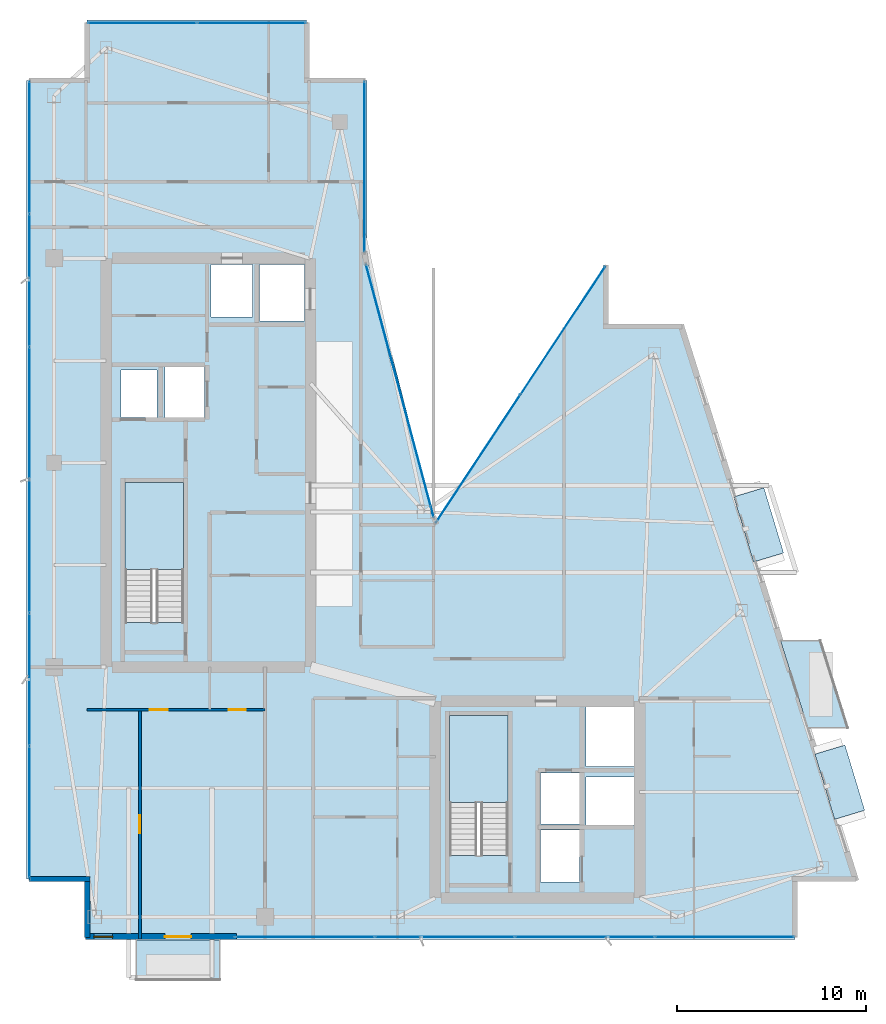
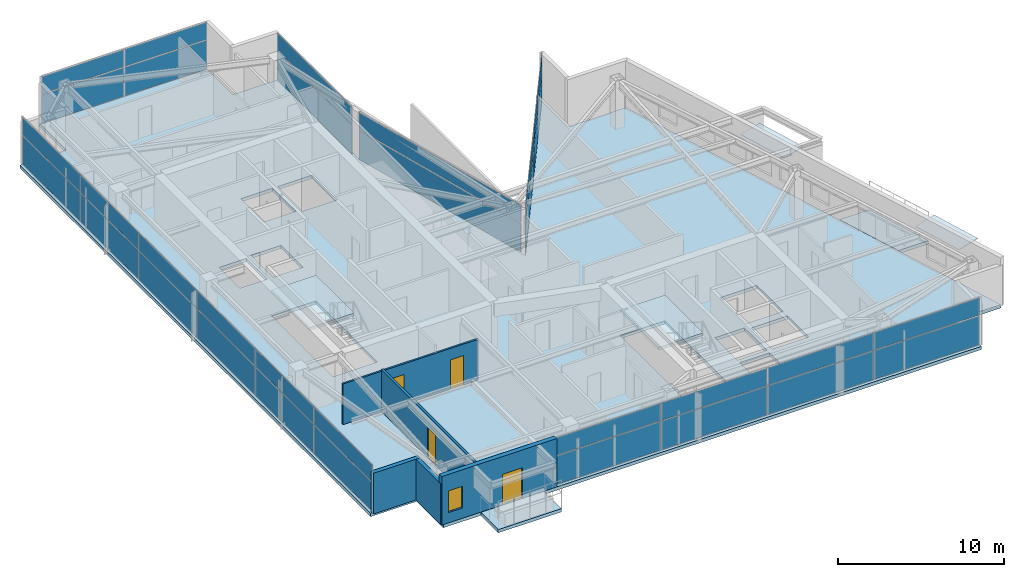
# One storey, part 22 of 28: 34 plates, 5 slabs, 5 walls, 4 doors, 1 window, 5 openings, 8 elements without a shape of their own.
"""IFC4 building model written with IfcOpenShell, lengths in metres."""

from ifc_helpers import new_model, si_unit, direction, frame, frame_2d, origin, origin_2d, place, context, subcontext, project, spatial, polyline, rectangle, outline, extrude, material, layer, layer_set, type_object, element, fill, aggregate, save


model = new_model("IFC4")

# Units and contexts
model_context = context("Model", 3, precision=1e-05, world=origin(), true_north=direction((0.0, 1.0)))
body_context = subcontext(model_context, "Body", "Model", "MODEL_VIEW")
ifc_project = project(units=[si_unit("LENGTHUNIT", "METRE"), si_unit("AREAUNIT", "SQUARE_METRE"), si_unit("VOLUMEUNIT", "CUBIC_METRE"), si_unit("PLANEANGLEUNIT", "RADIAN"), si_unit("MASSUNIT", "GRAM", prefix="KILO")], contexts=[model_context])

# Site, building, storey
site_placement = place(None, origin())
site = spatial("IfcSite", under=ifc_project, at=site_placement, CompositionType="ELEMENT")
building_placement = place(site_placement, origin())
building = spatial("IfcBuilding", under=site, at=building_placement, Name="Calvorn Quay Hotel", CompositionType="ELEMENT")
storey_placement = place(building_placement, frame((0.0, 0.0, 274.89990234375)))
storey = spatial("IfcBuildingStorey", under=building, at=storey_placement, Name="L68", CompositionType="ELEMENT", Elevation=274.89990234375)

# Curtain wall, plates
ifc_material_1 = material(Name="Champagne Bronze Anodised Aluminium and Low-E Glass", Category="aluminium")
ifc_layer_1 = layer(ifc_material_1, 0.219970703125)
ifc_layer_set_1 = layer_set([ifc_layer_1], Name="CW-SYS-Z4")
curtain_wall_type = type_object("IfcCurtainWallType", Name="CW-SYS-Z4", PredefinedType="NOTDEFINED", material=ifc_layer_set_1)
curtain_wall_1_placement = place(storey_placement, origin())
curtain_wall_1 = element("IfcCurtainWall", 1, at=curtain_wall_1_placement, inside=storey, type_object=curtain_wall_type, Name="Tower West Curtain Wall (L68)", PredefinedType="NOTDEFINED")
ifc_material_2 = material(Name="Low-E Laminated Double Glazing", Category="glass")
ifc_layer_2 = layer(ifc_material_2, 0.028076171875)
ifc_layer_set_2 = layer_set([ifc_layer_2], Name="CW-SYS-Z4-PAN")
plate_type_1 = type_object("IfcPlateType", Name="CW-SYS-Z4-PAN", PredefinedType="CURTAIN_PANEL", material=ifc_layer_set_2)
plate_1_placement = place(storey_placement, frame((0.14990234375, 9.131591796875, 0.06005859375), z_axis=(0.0, 0.0, 1.0), x_axis=(0.0, 1.0, 0.0)))
plate_1 = element("IfcPlate", 2, at=plate_1_placement, type_object=plate_type_1, Name="CW-L68-W panel 1.1", PredefinedType="CURTAIN_PANEL", context=body_context, shape_type="SweptSolid", body=[
    extrude(rectangle(XDim=6.943359375, YDim=0.028076171875, at=origin_2d()), origin(), (0.0, 0.0, 1.0), 2.110107421875),
])
plate_2_placement = place(storey_placement, frame((0.14990234375, 9.131591796875, 2.22998046875), z_axis=(0.0, 0.0, 1.0), x_axis=(0.0, 1.0, 0.0)))
plate_2 = element("IfcPlate", 3, at=plate_2_placement, type_object=plate_type_1, Name="CW-L68-W panel 1.2", PredefinedType="CURTAIN_PANEL", context=body_context, shape_type="SweptSolid", body=[
    extrude(rectangle(XDim=6.943359375, YDim=0.028076171875, at=origin_2d()), origin(), (0.0, 0.0, 1.0), 1.27001953125),
])
plate_3_placement = place(storey_placement, frame((0.14990234375, 16.14990234375, 0.06005859375), z_axis=(0.0, 0.0, 1.0), x_axis=(0.0, 1.0, 0.0)))
plate_3 = element("IfcPlate", 4, at=plate_3_placement, type_object=plate_type_1, Name="CW-L68-W panel 2.1", PredefinedType="CURTAIN_PANEL", context=body_context, shape_type="SweptSolid", body=[
    extrude(rectangle(XDim=6.973388671875, YDim=0.028076171875, at=origin_2d()), origin(), (0.0, 0.0, 1.0), 2.110107421875),
])
plate_4_placement = place(storey_placement, frame((0.14990234375, 16.14990234375, 2.22998046875), z_axis=(0.0, 0.0, 1.0), x_axis=(0.0, 1.0, 0.0)))
plate_4 = element("IfcPlate", 5, at=plate_4_placement, type_object=plate_type_1, Name="CW-L68-W panel 2.2", PredefinedType="CURTAIN_PANEL", context=body_context, shape_type="SweptSolid", body=[
    extrude(rectangle(XDim=6.973388671875, YDim=0.028076171875, at=origin_2d()), origin(), (0.0, 0.0, 1.0), 1.27001953125),
])
plate_5_placement = place(storey_placement, frame((0.14990234375, 23.183349609375, 0.06005859375), z_axis=(0.0, 0.0, 1.0), x_axis=(0.0, 1.0, 0.0)))
plate_5 = element("IfcPlate", 6, at=plate_5_placement, type_object=plate_type_1, Name="CW-L68-W panel 3.1", PredefinedType="CURTAIN_PANEL", context=body_context, shape_type="SweptSolid", body=[
    extrude(rectangle(XDim=6.973388671875, YDim=0.028076171875, at=origin_2d()), origin(), (0.0, 0.0, 1.0), 2.110107421875),
])
plate_6_placement = place(storey_placement, frame((0.14990234375, 23.183349609375, 2.22998046875), z_axis=(0.0, 0.0, 1.0), x_axis=(0.0, 1.0, 0.0)))
plate_6 = element("IfcPlate", 7, at=plate_6_placement, type_object=plate_type_1, Name="CW-L68-W panel 3.2", PredefinedType="CURTAIN_PANEL", context=body_context, shape_type="SweptSolid", body=[
    extrude(rectangle(XDim=6.973388671875, YDim=0.028076171875, at=origin_2d()), origin(), (0.0, 0.0, 1.0), 1.27001953125),
])
plate_7_placement = place(storey_placement, frame((0.14990234375, 30.216552734375, 0.06005859375), z_axis=(0.0, 0.0, 1.0), x_axis=(0.0, 1.0, 0.0)))
plate_7 = element("IfcPlate", 8, at=plate_7_placement, type_object=plate_type_1, Name="CW-L68-W panel 4.1", PredefinedType="CURTAIN_PANEL", context=body_context, shape_type="SweptSolid", body=[
    extrude(rectangle(XDim=6.973388671875, YDim=0.028076171875, at=origin_2d()), origin(), (0.0, 0.0, 1.0), 2.110107421875),
])
plate_8_placement = place(storey_placement, frame((0.14990234375, 30.216552734375, 2.22998046875), z_axis=(0.0, 0.0, 1.0), x_axis=(0.0, 1.0, 0.0)))
plate_8 = element("IfcPlate", 9, at=plate_8_placement, type_object=plate_type_1, Name="CW-L68-W panel 4.2", PredefinedType="CURTAIN_PANEL", context=body_context, shape_type="SweptSolid", body=[
    extrude(rectangle(XDim=6.973388671875, YDim=0.028076171875, at=origin_2d()), origin(), (0.0, 0.0, 1.0), 1.27001953125),
])
plate_9_placement = place(storey_placement, frame((0.14990234375, 37.25, 0.06005859375), z_axis=(0.0, 0.0, 1.0), x_axis=(0.0, 1.0, 0.0)))
plate_9 = element("IfcPlate", 10, at=plate_9_placement, type_object=plate_type_1, Name="CW-L68-W panel 5.1", PredefinedType="CURTAIN_PANEL", context=body_context, shape_type="SweptSolid", body=[
    extrude(rectangle(XDim=6.973388671875, YDim=0.028076171875, at=origin_2d()), origin(), (0.0, 0.0, 1.0), 2.110107421875),
])
plate_10_placement = place(storey_placement, frame((0.14990234375, 37.25, 2.22998046875), z_axis=(0.0, 0.0, 1.0), x_axis=(0.0, 1.0, 0.0)))
plate_10 = element("IfcPlate", 11, at=plate_10_placement, type_object=plate_type_1, Name="CW-L68-W panel 5.2", PredefinedType="CURTAIN_PANEL", context=body_context, shape_type="SweptSolid", body=[
    extrude(rectangle(XDim=6.973388671875, YDim=0.028076171875, at=origin_2d()), origin(), (0.0, 0.0, 1.0), 1.27001953125),
])
plate_11_placement = place(storey_placement, frame((0.14990234375, 44.268310546875, 0.06005859375), z_axis=(0.0, 0.0, 1.0), x_axis=(0.0, 1.0, 0.0)))
plate_11 = element("IfcPlate", 12, at=plate_11_placement, type_object=plate_type_1, Name="CW-L68-W panel 6.1", PredefinedType="CURTAIN_PANEL", context=body_context, shape_type="SweptSolid", body=[
    extrude(rectangle(XDim=6.943359375, YDim=0.028076171875, at=origin_2d()), origin(), (0.0, 0.0, 1.0), 2.110107421875),
])
plate_12_placement = place(storey_placement, frame((0.14990234375, 44.268310546875, 2.22998046875), z_axis=(0.0, 0.0, 1.0), x_axis=(0.0, 1.0, 0.0)))
plate_12 = element("IfcPlate", 13, at=plate_12_placement, type_object=plate_type_1, Name="CW-L68-W panel 6.2", PredefinedType="CURTAIN_PANEL", context=body_context, shape_type="SweptSolid", body=[
    extrude(rectangle(XDim=6.943359375, YDim=0.028076171875, at=origin_2d()), origin(), (0.0, 0.0, 1.0), 1.27001953125),
])
aggregate(curtain_wall_1, [plate_1, plate_2, plate_3, plate_4, plate_5, plate_6, plate_7, plate_8, plate_9, plate_10, plate_11, plate_12])

curtain_wall_2_placement = place(storey_placement, origin())
curtain_wall_2 = element("IfcCurtainWall", 14, at=curtain_wall_2_placement, inside=storey, type_object=curtain_wall_type, Name="Tower South Waterfront Curtain Wall (L68)", PredefinedType="NOTDEFINED")
plate_13_placement = place(storey_placement, frame((14.715087890625, 2.550048828125, 0.06005859375), z_axis=(0.0, 0.0, 1.0), x_axis=(1.0, 0.0, 0.0)))
plate_13 = element("IfcPlate", 15, at=plate_13_placement, type_object=plate_type_1, Name="CW-L68-S panel 1.1", PredefinedType="CURTAIN_PANEL", context=body_context, shape_type="SweptSolid", body=[
    extrude(rectangle(XDim=7.31005859375, YDim=0.028076171875, at=origin_2d()), origin(), (0.0, 0.0, 1.0), 2.110107421875),
])
plate_14_placement = place(storey_placement, frame((14.715087890625, 2.550048828125, 2.22998046875), z_axis=(0.0, 0.0, 1.0), x_axis=(1.0, 0.0, 0.0)))
plate_14 = element("IfcPlate", 16, at=plate_14_placement, type_object=plate_type_1, Name="CW-L68-S panel 1.2", PredefinedType="CURTAIN_PANEL", context=body_context, shape_type="SweptSolid", body=[
    extrude(rectangle(XDim=7.31005859375, YDim=0.028076171875, at=origin_2d()), origin(), (0.0, 0.0, 1.0), 1.27001953125),
])
plate_15_placement = place(storey_placement, frame((22.10009765625, 2.550048828125, 0.06005859375), z_axis=(0.0, 0.0, 1.0), x_axis=(1.0, 0.0, 0.0)))
plate_15 = element("IfcPlate", 17, at=plate_15_placement, type_object=plate_type_1, Name="CW-L68-S panel 2.1", PredefinedType="CURTAIN_PANEL", context=body_context, shape_type="SweptSolid", body=[
    extrude(rectangle(XDim=7.340087890625, YDim=0.028076171875, at=origin_2d()), origin(), (0.0, 0.0, 1.0), 2.110107421875),
])
plate_16_placement = place(storey_placement, frame((22.10009765625, 2.550048828125, 2.22998046875), z_axis=(0.0, 0.0, 1.0), x_axis=(1.0, 0.0, 0.0)))
plate_16 = element("IfcPlate", 18, at=plate_16_placement, type_object=plate_type_1, Name="CW-L68-S panel 2.2", PredefinedType="CURTAIN_PANEL", context=body_context, shape_type="SweptSolid", body=[
    extrude(rectangle(XDim=7.340087890625, YDim=0.028076171875, at=origin_2d()), origin(), (0.0, 0.0, 1.0), 1.27001953125),
])
plate_17_placement = place(storey_placement, frame((29.5, 2.550048828125, 0.06005859375), z_axis=(0.0, 0.0, 1.0), x_axis=(1.0, 0.0, 0.0)))
plate_17 = element("IfcPlate", 19, at=plate_17_placement, type_object=plate_type_1, Name="CW-L68-S panel 3.1", PredefinedType="CURTAIN_PANEL", context=body_context, shape_type="SweptSolid", body=[
    extrude(rectangle(XDim=7.340087890625, YDim=0.028076171875, at=origin_2d()), origin(), (0.0, 0.0, 1.0), 2.110107421875),
])
plate_18_placement = place(storey_placement, frame((29.5, 2.550048828125, 2.22998046875), z_axis=(0.0, 0.0, 1.0), x_axis=(1.0, 0.0, 0.0)))
plate_18 = element("IfcPlate", 20, at=plate_18_placement, type_object=plate_type_1, Name="CW-L68-S panel 3.2", PredefinedType="CURTAIN_PANEL", context=body_context, shape_type="SweptSolid", body=[
    extrude(rectangle(XDim=7.340087890625, YDim=0.028076171875, at=origin_2d()), origin(), (0.0, 0.0, 1.0), 1.27001953125),
])
plate_19_placement = place(storey_placement, frame((36.885009765625, 2.550048828125, 0.06005859375), z_axis=(0.0, 0.0, 1.0), x_axis=(1.0, 0.0, 0.0)))
plate_19 = element("IfcPlate", 21, at=plate_19_placement, type_object=plate_type_1, Name="CW-L68-S panel 4.1", PredefinedType="CURTAIN_PANEL", context=body_context, shape_type="SweptSolid", body=[
    extrude(rectangle(XDim=7.31005859375, YDim=0.028076171875, at=origin_2d()), origin(), (0.0, 0.0, 1.0), 2.110107421875),
])
plate_20_placement = place(storey_placement, frame((36.885009765625, 2.550048828125, 2.22998046875), z_axis=(0.0, 0.0, 1.0), x_axis=(1.0, 0.0, 0.0)))
plate_20 = element("IfcPlate", 22, at=plate_20_placement, type_object=plate_type_1, Name="CW-L68-S panel 4.2", PredefinedType="CURTAIN_PANEL", context=body_context, shape_type="SweptSolid", body=[
    extrude(rectangle(XDim=7.31005859375, YDim=0.028076171875, at=origin_2d()), origin(), (0.0, 0.0, 1.0), 1.27001953125),
])
aggregate(curtain_wall_2, [plate_13, plate_14, plate_15, plate_16, plate_17, plate_18, plate_19, plate_20])

curtain_wall_3_placement = place(storey_placement, origin())
curtain_wall_3 = element("IfcCurtainWall", 23, at=curtain_wall_3_placement, inside=storey, type_object=curtain_wall_type, Name="Inner Court Curtain Wall L68-NE1", PredefinedType="NOTDEFINED")
plate_21_placement = place(storey_placement, frame((28.341796875, 34.58740234375, 0.06005859375), z_axis=(0.0, 0.0, 1.0), x_axis=(-0.551866900852, -0.833932205724, 0.0)))
plate_21 = element("IfcPlate", 24, at=plate_21_placement, type_object=plate_type_1, Name="CW-L68-NE1 panel 1.1", PredefinedType="CURTAIN_PANEL", context=body_context, shape_type="SweptSolid", body=[
    extrude(rectangle(XDim=8.064208984375, YDim=0.028076171875, at=origin_2d()), origin(), (0.0, 0.0, 1.0), 2.110107421875),
])
plate_22_placement = place(storey_placement, frame((28.341796875, 34.58740234375, 2.22998046875), z_axis=(0.0, 0.0, 1.0), x_axis=(-0.551866900852, -0.833932205724, 0.0)))
plate_22 = element("IfcPlate", 25, at=plate_22_placement, type_object=plate_type_1, Name="CW-L68-NE1 panel 1.2", PredefinedType="CURTAIN_PANEL", context=body_context, shape_type="SweptSolid", body=[
    extrude(rectangle(XDim=8.064208984375, YDim=0.028076171875, at=origin_2d()), origin(), (0.0, 0.0, 1.0), 1.27001953125),
])
plate_23_placement = place(storey_placement, frame((23.8583984375, 27.8125, 0.06005859375), z_axis=(0.0, 0.0, 1.0), x_axis=(-0.551866900852, -0.833932205724, 0.0)))
plate_23 = element("IfcPlate", 26, at=plate_23_placement, type_object=plate_type_1, Name="CW-L68-NE1 panel 2.1", PredefinedType="CURTAIN_PANEL", context=body_context, shape_type="SweptSolid", body=[
    extrude(rectangle(XDim=8.064208984375, YDim=0.028076171875, at=origin_2d()), origin(), (0.0, 0.0, 1.0), 2.110107421875),
])
plate_24_placement = place(storey_placement, frame((23.8583984375, 27.8125, 2.22998046875), z_axis=(0.0, 0.0, 1.0), x_axis=(-0.551866900852, -0.833932205724, 0.0)))
plate_24 = element("IfcPlate", 27, at=plate_24_placement, type_object=plate_type_1, Name="CW-L68-NE1 panel 2.2", PredefinedType="CURTAIN_PANEL", context=body_context, shape_type="SweptSolid", body=[
    extrude(rectangle(XDim=8.064208984375, YDim=0.028076171875, at=origin_2d()), origin(), (0.0, 0.0, 1.0), 1.27001953125),
])
aggregate(curtain_wall_3, [plate_21, plate_22, plate_23, plate_24])

curtain_wall_4_placement = place(storey_placement, origin())
curtain_wall_4 = element("IfcCurtainWall", 28, at=curtain_wall_4_placement, inside=storey, type_object=curtain_wall_type, Name="Inner Court Curtain Wall L68-IC1", PredefinedType="NOTDEFINED")
plate_25_placement = place(storey_placement, frame((19.72509765625, 31.39990234375, 0.06005859375), z_axis=(0.0, 0.0, 1.0), x_axis=(-0.25877913024, 0.96593652056, 0.0)))
plate_25 = element("IfcPlate", 29, at=plate_25_placement, type_object=plate_type_1, Name="CW-L68-IC1 panel 1.1", PredefinedType="CURTAIN_PANEL", context=body_context, shape_type="SweptSolid", body=[
    extrude(rectangle(XDim=13.814697265625, YDim=0.028076171875, at=origin_2d()), origin(), (0.0, 0.0, 1.0), 2.110107421875),
])
plate_26_placement = place(storey_placement, frame((19.72509765625, 31.39990234375, 2.22998046875), z_axis=(0.0, 0.0, 1.0), x_axis=(-0.25877913024, 0.96593652056, 0.0)))
plate_26 = element("IfcPlate", 30, at=plate_26_placement, type_object=plate_type_1, Name="CW-L68-IC1 panel 1.2", PredefinedType="CURTAIN_PANEL", context=body_context, shape_type="SweptSolid", body=[
    extrude(rectangle(XDim=13.814697265625, YDim=0.028076171875, at=origin_2d()), origin(), (0.0, 0.0, 1.0), 1.27001953125),
])
aggregate(curtain_wall_4, [plate_25, plate_26])

curtain_wall_5_placement = place(storey_placement, origin())
curtain_wall_5 = element("IfcCurtainWall", 31, at=curtain_wall_5_placement, inside=storey, type_object=curtain_wall_type, Name="Inner Court Curtain Wall L68-IC2", PredefinedType="NOTDEFINED")
plate_27_placement = place(storey_placement, frame((17.85009765625, 43.239990234375, 0.06005859375), z_axis=(0.0, 0.0, 1.0), x_axis=(0.0, 1.0, 0.0)))
plate_27 = element("IfcPlate", 32, at=plate_27_placement, type_object=plate_type_1, Name="CW-L68-IC2 panel 1.1", PredefinedType="CURTAIN_PANEL", context=body_context, shape_type="SweptSolid", body=[
    extrude(rectangle(XDim=9.0, YDim=0.028076171875, at=origin_2d()), origin(), (0.0, 0.0, 1.0), 2.110107421875),
])
plate_28_placement = place(storey_placement, frame((17.85009765625, 43.239990234375, 2.22998046875), z_axis=(0.0, 0.0, 1.0), x_axis=(0.0, 1.0, 0.0)))
plate_28 = element("IfcPlate", 33, at=plate_28_placement, type_object=plate_type_1, Name="CW-L68-IC2 panel 1.2", PredefinedType="CURTAIN_PANEL", context=body_context, shape_type="SweptSolid", body=[
    extrude(rectangle(XDim=9.0, YDim=0.028076171875, at=origin_2d()), origin(), (0.0, 0.0, 1.0), 1.27001953125),
])
aggregate(curtain_wall_5, [plate_27, plate_28])

curtain_wall_6_placement = place(storey_placement, origin())
curtain_wall_6 = element("IfcCurtainWall", 34, at=curtain_wall_6_placement, inside=storey, type_object=curtain_wall_type, Name="Inner Court Curtain Wall L68-N1", PredefinedType="NOTDEFINED")
plate_29_placement = place(storey_placement, frame((11.885009765625, 50.85009765625, 0.06005859375), z_axis=(0.0, 0.0, 1.0), x_axis=(-1.0, 0.0, 0.0)))
plate_29 = element("IfcPlate", 35, at=plate_29_placement, type_object=plate_type_1, Name="CW-L68-N1 panel 1.1", PredefinedType="CURTAIN_PANEL", context=body_context, shape_type="SweptSolid", body=[
    extrude(rectangle(XDim=5.7099609375, YDim=0.028076171875, at=origin_2d()), origin(), (0.0, 0.0, 1.0), 2.110107421875),
])
plate_30_placement = place(storey_placement, frame((11.885009765625, 50.85009765625, 2.22998046875), z_axis=(0.0, 0.0, 1.0), x_axis=(-1.0, 0.0, 0.0)))
plate_30 = element("IfcPlate", 36, at=plate_30_placement, type_object=plate_type_1, Name="CW-L68-N1 panel 1.2", PredefinedType="CURTAIN_PANEL", context=body_context, shape_type="SweptSolid", body=[
    extrude(rectangle(XDim=5.7099609375, YDim=0.028076171875, at=origin_2d()), origin(), (0.0, 0.0, 1.0), 1.27001953125),
])
plate_31_placement = place(storey_placement, frame((6.114990234375, 50.85009765625, 0.06005859375), z_axis=(0.0, 0.0, 1.0), x_axis=(-1.0, 0.0, 0.0)))
plate_31 = element("IfcPlate", 37, at=plate_31_placement, type_object=plate_type_1, Name="CW-L68-N1 panel 2.1", PredefinedType="CURTAIN_PANEL", context=body_context, shape_type="SweptSolid", body=[
    extrude(rectangle(XDim=5.7099609375, YDim=0.028076171875, at=origin_2d()), origin(), (0.0, 0.0, 1.0), 2.110107421875),
])
plate_32_placement = place(storey_placement, frame((6.114990234375, 50.85009765625, 2.22998046875), z_axis=(0.0, 0.0, 1.0), x_axis=(-1.0, 0.0, 0.0)))
plate_32 = element("IfcPlate", 38, at=plate_32_placement, type_object=plate_type_1, Name="CW-L68-N1 panel 2.2", PredefinedType="CURTAIN_PANEL", context=body_context, shape_type="SweptSolid", body=[
    extrude(rectangle(XDim=5.7099609375, YDim=0.028076171875, at=origin_2d()), origin(), (0.0, 0.0, 1.0), 1.27001953125),
])
aggregate(curtain_wall_6, [plate_29, plate_30, plate_31, plate_32])

# Plates
ifc_material_3 = material(Name="Tempered Laminated Low-E Glass", Category="glass")
ifc_layer_3 = layer(ifc_material_3, 0.0380859375)
ifc_layer_set_3 = layer_set([ifc_layer_3], Name="PLT-HOOD-GLAZ")
plate_type_2 = type_object("IfcPlateType", Name="PLT-HOOD-GLAZ", PredefinedType="SHEET", material=ifc_layer_set_3)
for number, where, z_axis, x_axis, name in (
    (39, (42.97412109375, 10.718017578125, 2.467041015625), (0.0, 0.0, 1.0), (0.957319497532, 0.289031796944, 0.0), "Angled Glass Bay Hood Panel L68-HOOD-1"),
    (40, (38.68896484375, 24.318115234375, 2.467041015625), (0.0, 0.0, 1.0), (0.957319497532, 0.289031796944, 0.0), "Angled Glass Bay Hood Panel L68-HOOD-3"),
):
    element("IfcPlate", number, at=place(storey_placement, frame(where, z_axis=z_axis, x_axis=x_axis)), inside=storey, type_object=plate_type_2, Name=name, PredefinedType="SHEET", context=body_context, shape_type="SweptSolid", body=[
        extrude(rectangle(XDim=1.659912109375, YDim=3.60009765625, at=origin_2d()), origin(), (0.0, 0.0, 1.0), 0.0380859375),
    ])

# Slabs
ifc_material_4 = material(Name="Concrete C40", Category="concrete")
ifc_layer_4 = layer(ifc_material_4, 0.239990234375)
ifc_layer_set_4 = layer_set([ifc_layer_4], Name="SLB-BALCONY-220")
slab_type_1 = type_object("IfcSlabType", Name="SLB-BALCONY-220", PredefinedType="FLOOR", material=ifc_layer_set_4)
slab_1_placement = place(storey_placement, frame((0.0, 0.0, -0.239990234375)))
element("IfcSlab", 41, at=slab_1_placement, inside=storey, type_object=slab_type_1, Name="Tree Balcony Slab L68-BALC-E", PredefinedType="FLOOR", context=body_context, shape_type="SweptSolid", body=[
    extrude(outline(polyline([(41.2890625, 13.60009765625), (43.388916015625, 13.60009765625), (41.93994140625, 18.199951171875), (39.840087890625, 18.199951171875), (41.2890625, 13.60009765625)])), origin(), (0.0, 0.0, 1.0), 0.239990234375),
])
slab_2_placement = place(storey_placement, frame((0.0, 0.0, -0.239990234375)))
element("IfcSlab", 42, at=slab_2_placement, inside=storey, type_object=slab_type_1, Name="Tree Balcony Slab L68-BALC-S", PredefinedType="FLOOR", context=body_context, shape_type="SweptSolid", body=[
    extrude(outline(polyline([(5.800048828125, 0.2900390625), (10.199951171875, 0.2900390625), (10.199951171875, 2.389892578125), (5.800048828125, 2.389892578125), (5.800048828125, 0.2900390625)])), origin(), (0.0, 0.0, 1.0), 0.239990234375),
])

# Stair, slab
ifc_material_5 = material(Name="Concrete C40", Category="concrete")
stair_type = type_object("IfcStairType", Name="STR-CORE-DOGLEG", PredefinedType="HALF_TURN_STAIR", material=ifc_material_5)
stair_1_placement = place(storey_placement, origin())
stair_1 = element("IfcStair", 43, at=stair_1_placement, inside=storey, type_object=stair_type, Name="L68 ST-W", PredefinedType="HALF_TURN_STAIR")
ifc_material_6 = material(Name="Concrete C40", Category="concrete")
ifc_layer_5 = layer(ifc_material_6, 0.199951171875)
ifc_layer_set_5 = layer_set([ifc_layer_5], Name="SLB-STAIR-LANDING-200")
slab_type_2 = type_object("IfcSlabType", Name="SLB-STAIR-LANDING-200", PredefinedType="LANDING", material=ifc_layer_set_5)
slab_3_placement = place(storey_placement, frame((0.0, 0.0, 1.7001953125)))
slab_3 = element("IfcSlab", 44, at=slab_3_placement, type_object=slab_type_2, Name="ST-W landing 1", PredefinedType="LANDING", context=body_context, shape_type="SweptSolid", body=[
    extrude(outline(polyline([(8.300048828125, 21.949951171875), (8.300048828125, 26.550048828125), (5.199951171875, 26.550048828125), (5.199951171875, 21.949951171875), (8.300048828125, 21.949951171875)])), origin(), (0.0, 0.0, 1.0), 0.199951171875),
])
aggregate(stair_1, [slab_3])

stair_2_placement = place(storey_placement, origin())
stair_2 = element("IfcStair", 45, at=stair_2_placement, inside=storey, type_object=stair_type, Name="L68 ST-E", PredefinedType="HALF_TURN_STAIR")
slab_4_placement = place(storey_placement, frame((0.0, 0.0, 1.7001953125)))
slab_4 = element("IfcSlab", 46, at=slab_4_placement, type_object=slab_type_2, Name="ST-E landing 1", PredefinedType="LANDING", context=body_context, shape_type="SweptSolid", body=[
    extrude(outline(polyline([(25.449951171875, 9.64990234375), (25.449951171875, 14.25), (22.35009765625, 14.25), (22.35009765625, 9.64990234375), (25.449951171875, 9.64990234375)])), origin(), (0.0, 0.0, 1.0), 0.199951171875),
])
aggregate(stair_2, [slab_4])

# Slab
ifc_material_7 = material(Name="Concrete C40", Category="concrete")
ifc_layer_6 = layer(ifc_material_7, 0.239990234375)
ifc_layer_set_6 = layer_set([ifc_layer_6], Name="SLB-TOWER-240")
slab_type_3 = type_object("IfcSlabType", Name="SLB-TOWER-240", PredefinedType="FLOOR", material=ifc_layer_set_6)
slab_5_placement = place(storey_placement, frame((0.0, 0.0, -0.239990234375)))
element("IfcSlab", 47, at=slab_5_placement, inside=storey, type_object=slab_type_3, Name="L68 Structural Floor Slab", PredefinedType="FLOOR", context=body_context, shape_type="SweptSolid", body=[
    extrude(outline(polyline([(0.0, 5.60009765625), (3.199951171875, 5.60009765625), (3.199951171875, 2.39990234375), (40.60009765625, 2.39990234375), (40.60009765625, 5.60009765625), (43.800048828125, 5.60009765625), (34.60009765625, 34.800048828125), (30.60009765625, 34.800048828125), (30.60009765625, 38.0), (21.60009765625, 24.39990234375), (18.0, 38.39990234375), (18.0, 47.800048828125), (14.800048828125, 47.800048828125), (14.800048828125, 51.0), (3.199951171875, 51.0), (3.199951171875, 47.800048828125), (0.0, 47.800048828125), (0.0, 5.60009765625)]), holes=[polyline([(5.199951171875, 19.156005859375), (8.300048828125, 19.156005859375), (8.300048828125, 26.550048828125), (5.199951171875, 26.550048828125), (5.199951171875, 19.156005859375)]), polyline([(22.35009765625, 6.85595703125), (25.449951171875, 6.85595703125), (25.449951171875, 14.25), (22.35009765625, 14.25), (22.35009765625, 6.85595703125)]), polyline([(5.0, 30.0), (6.89990234375, 30.0), (6.89990234375, 32.5), (5.0, 32.5), (5.0, 30.0)]), polyline([(7.300048828125, 30.0), (9.39990234375, 30.0), (9.39990234375, 32.64990234375), (7.300048828125, 32.64990234375), (7.300048828125, 30.0)]), polyline([(27.159912109375, 8.5), (29.2099609375, 8.5), (29.2099609375, 11.199951171875), (27.159912109375, 11.199951171875), (27.159912109375, 8.5)]), polyline([(27.159912109375, 5.449951171875), (29.2099609375, 5.449951171875), (29.2099609375, 8.199951171875), (27.159912109375, 8.199951171875), (27.159912109375, 5.449951171875)]), polyline([(12.300048828125, 35.10009765625), (14.68994140625, 35.10009765625), (14.68994140625, 38.090087890625), (12.300048828125, 38.090087890625), (12.300048828125, 35.10009765625)]), polyline([(9.75, 35.300048828125), (11.949951171875, 35.300048828125), (11.949951171875, 38.090087890625), (9.75, 38.090087890625), (9.75, 35.300048828125)]), polyline([(29.550048828125, 11.550048828125), (32.090087890625, 11.550048828125), (32.090087890625, 14.68994140625), (29.550048828125, 14.68994140625), (29.550048828125, 11.550048828125)]), polyline([(29.550048828125, 8.449951171875), (32.090087890625, 8.449951171875), (32.090087890625, 11.0), (29.550048828125, 11.0), (29.550048828125, 8.449951171875)])]), origin(), (0.0, 0.0, 1.0), 0.239990234375),
])

# Wall, openings, doors
ifc_material_8 = material(Name="Moisture-Resistant Tile-Backed Partition")
ifc_layer_7 = layer(ifc_material_8, 0.125)
ifc_layer_set_7 = layer_set([ifc_layer_7], Name="WL-ENSUITE-125")
wall_type_1 = type_object("IfcWallType", Name="WL-ENSUITE-125", PredefinedType="PARTITIONING", material=ifc_layer_set_7)
wall_1_placement = place(storey_placement, frame((3.199951171875, 14.550048828125, 0.0), z_axis=(0.0, 0.0, 1.0), x_axis=(1.0, 0.0, 0.0)))
wall_1 = element("IfcWall", 48, at=wall_1_placement, inside=storey, type_object=wall_type_1, Name="Partition Wall L68-WL-U01-BH", PredefinedType="PARTITIONING", context=body_context, shape_type="SweptSolid", body=[
    extrude(rectangle(XDim=9.400146484375, YDim=0.125, at=frame_2d((4.7001953125, 0.0))), origin(), (0.0, 0.0, 1.0), 2.989990234375),
])
opening_1_placement = place(wall_1_placement, frame((3.300048828125, 0.0, 0.0)))
opening_1 = element("IfcOpeningElement", 49, at=opening_1_placement, cuts=wall_1, Name="Opening D-L68-S01", PredefinedType="OPENING", context=body_context, shape_type="SweptSolid", body=[
    extrude(rectangle(XDim=0.9599609375, YDim=2.199951171875, at=frame_2d((0.47998046875, 1.10009765625))), frame((0.0, 0.072509765625, 0.0), z_axis=(0.0, -1.0, 0.0), x_axis=(1.0, 0.0, 0.0)), (0.0, 0.0, 1.0), 0.14501953125),
])
opening_2_placement = place(wall_1_placement, frame((7.489990234375, 0.0, 0.0)))
opening_2 = element("IfcOpeningElement", 50, at=opening_2_placement, cuts=wall_1, Name="Opening D-L68-E01", PredefinedType="OPENING", context=body_context, shape_type="SweptSolid", body=[
    extrude(rectangle(XDim=0.89990234375, YDim=2.14990234375, at=frame_2d((0.449951171875, 1.074951171875))), frame((0.0, 0.072509765625, 0.0), z_axis=(0.0, -1.0, 0.0), x_axis=(1.0, 0.0, 0.0)), (0.0, 0.0, 1.0), 0.14501953125),
])
ifc_material_9 = material(Name="Moisture-Sealed Timber En-Suite Door", Category="wood")
door_type_1 = type_object("IfcDoorType", Name="DR-ENSUITE-900", OperationType="NOTDEFINED", PredefinedType="DOOR", material=ifc_material_9)
door_1_placement = place(opening_2_placement, origin())
door_1 = element("IfcDoor", 51, at=door_1_placement, inside=storey, type_object=door_type_1, Name="En-Suite Door 01", OperationType="SINGLE_SWING_RIGHT", OverallHeight=2.14990234375, OverallWidth=0.89990234375, PredefinedType="DOOR", context=body_context, shape_type="SweptSolid", body=[
    extrude(rectangle(XDim=0.89990234375, YDim=2.14990234375, at=frame_2d((0.449951171875, 1.074951171875))), frame((0.0, 0.02490234375, 0.0), z_axis=(0.0, -1.0, 0.0), x_axis=(1.0, 0.0, 0.0)), (0.0, 0.0, 1.0), 0.050048828125),
])
fill(opening_2, door_1)
ifc_material_10 = material(Name="Solid Timber Internal Suite Door", Category="wood")
door_type_2 = type_object("IfcDoorType", Name="DR-SUITE-INT-960", OperationType="NOTDEFINED", PredefinedType="DOOR", material=ifc_material_10)
door_2_placement = place(opening_1_placement, origin())
door_2 = element("IfcDoor", 52, at=door_2_placement, inside=storey, type_object=door_type_2, Name="Executive Study Door 01", OperationType="SINGLE_SWING_LEFT", OverallHeight=2.199951171875, OverallWidth=0.9599609375, PredefinedType="DOOR", context=body_context, shape_type="SweptSolid", body=[
    extrude(rectangle(XDim=0.9599609375, YDim=2.199951171875, at=frame_2d((0.47998046875, 1.10009765625))), frame((0.0, 0.02490234375, 0.0), z_axis=(0.0, -1.0, 0.0), x_axis=(1.0, 0.0, 0.0)), (0.0, 0.0, 1.0), 0.050048828125),
])
fill(opening_1, door_2)

# Wall, openings, door, window
ifc_material_11 = material(Name="Concrete C40", Category="concrete")
ifc_layer_8 = layer(ifc_material_11, 0.320068359375)
ifc_layer_set_8 = layer_set([ifc_layer_8], Name="WL-EXT-SPANDREL-320")
wall_type_2 = type_object("IfcWallType", Name="WL-EXT-SPANDREL-320", PredefinedType="SOLIDWALL", material=ifc_layer_set_8)
wall_2_placement = place(storey_placement, frame((3.10009765625, 2.56005859375, 0.0), z_axis=(0.0, 0.0, 1.0), x_axis=(1.0, 0.0, 0.0)))
wall_2 = element("IfcWall", 53, at=wall_2_placement, inside=storey, type_object=wall_type_2, Name="South Balcony Exterior Wall (L68)", PredefinedType="SOLIDWALL", context=body_context, shape_type="SweptSolid", body=[
    extrude(rectangle(XDim=8.0, YDim=0.320068359375, at=frame_2d((4.0, 0.0))), origin(), (0.0, 0.0, 1.0), 3.56005859375),
])
opening_3_placement = place(wall_2_placement, frame((0.449951171875, 0.0, 0.75)))
opening_3 = element("IfcOpeningElement", 54, at=opening_3_placement, cuts=wall_2, Name="Opening WSB-L68-1", PredefinedType="OPENING", context=body_context, shape_type="SweptSolid", body=[
    extrude(rectangle(XDim=1.0, YDim=1.60009765625, at=frame_2d((0.5, 0.800048828125))), frame((0.0, 0.169921875, 0.0), z_axis=(0.0, -1.0, 0.0), x_axis=(1.0, 0.0, 0.0)), (0.0, 0.0, 1.0), 0.340087890625),
])
opening_4_placement = place(wall_2_placement, frame((4.199951171875, 0.0, 0.0)))
opening_4 = element("IfcOpeningElement", 55, at=opening_4_placement, cuts=wall_2, Name="Opening DB-L68-2", PredefinedType="OPENING", context=body_context, shape_type="SweptSolid", body=[
    extrude(rectangle(XDim=1.39990234375, YDim=2.25, at=frame_2d((0.699951171875, 1.125))), frame((0.0, 0.169921875, 0.0), z_axis=(0.0, -1.0, 0.0), x_axis=(1.0, 0.0, 0.0)), (0.0, 0.0, 1.0), 0.340087890625),
])
ifc_material_12 = material(Name="Typhoon-Rated Low-E Aluminium Terrace Door", Category="aluminium")
door_type_3 = type_object("IfcDoorType", Name="DR-BALCONY-GLZ-1400", OperationType="NOTDEFINED", PredefinedType="DOOR", material=ifc_material_12)
door_3_placement = place(opening_4_placement, origin())
door_3 = element("IfcDoor", 56, at=door_3_placement, inside=storey, type_object=door_type_3, Name="Tree Balcony Terrace Door L68-BALC-S", OperationType="SINGLE_SWING_LEFT", OverallHeight=2.25, OverallWidth=1.39990234375, PredefinedType="DOOR", context=body_context, shape_type="SweptSolid", body=[
    extrude(rectangle(XDim=1.39990234375, YDim=2.25, at=frame_2d((0.699951171875, 1.125))), frame((0.0, 0.02490234375, 0.0), z_axis=(0.0, -1.0, 0.0), x_axis=(1.0, 0.0, 0.0)), (0.0, 0.0, 1.0), 0.050048828125),
])
fill(opening_4, door_3)
ifc_material_13 = material(Name="Self-Closing Class B Side Fire Window")
window_type = type_object("IfcWindowType", Name="WIN-REFUGE-NARROW-1000x1600", PartitioningType="SINGLE_PANEL", PredefinedType="WINDOW", material=ifc_material_13)
window_placement = place(opening_3_placement, origin())
window = element("IfcWindow", 57, at=window_placement, inside=storey, type_object=window_type, Name="South Waterfront Side Window (L68)", OverallHeight=1.60009765625, OverallWidth=1.0, PartitioningType="SINGLE_PANEL", PredefinedType="WINDOW", context=body_context, shape_type="SweptSolid", body=[
    extrude(rectangle(XDim=1.0, YDim=1.60009765625, at=frame_2d((0.5, 0.800048828125))), frame((0.0, 0.030029296875, 0.0), z_axis=(0.0, -1.0, 0.0), x_axis=(1.0, 0.0, 0.0)), (0.0, 0.0, 1.0), 0.06005859375),
])
fill(opening_3, window)

# Walls
wall_3_placement = place(storey_placement, frame((0.1201171875, 5.60009765625, 0.0), z_axis=(0.0, 0.0, 1.0), x_axis=(1.0, 0.0, 0.0)))
element("IfcWall", 58, at=wall_3_placement, inside=storey, type_object=wall_type_2, Name="Notched Corner Spandrel L68-SW1", PredefinedType="SOLIDWALL", context=body_context, shape_type="SweptSolid", body=[
    extrude(rectangle(XDim=3.219970703125, YDim=0.280029296875, at=frame_2d((1.60986328125, 0.0))), origin(), (0.0, 0.0, 1.0), 2.989990234375),
])
wall_4_placement = place(storey_placement, frame((3.199951171875, 5.4599609375, 0.0), z_axis=(0.0, 0.0, 1.0), x_axis=(0.0, -1.0, 0.0)))
element("IfcWall", 59, at=wall_4_placement, inside=storey, type_object=wall_type_2, Name="Notched Corner Spandrel L68-SW2", PredefinedType="SOLIDWALL", context=body_context, shape_type="SweptSolid", body=[
    extrude(rectangle(XDim=2.93994140625, YDim=0.280029296875, at=frame_2d((1.469970703125, 0.0))), origin(), (0.0, 0.0, 1.0), 2.989990234375),
])

# Wall, opening, door
ifc_material_14 = material(Name="Double-Stud Acoustic Gypsum Partition")
ifc_layer_9 = layer(ifc_material_14, 0.159912109375)
ifc_layer_set_9 = layer_set([ifc_layer_9], Name="WL-INTERSUITE-160")
wall_type_3 = type_object("IfcWallType", Name="WL-INTERSUITE-160", PredefinedType="PARTITIONING", material=ifc_layer_set_9)
wall_5_placement = place(storey_placement, frame((5.97998046875, 2.43994140625, 0.0), z_axis=(0.0, 0.0, 1.0), x_axis=(0.0, 1.0, 0.0)))
wall_5 = element("IfcWall", 60, at=wall_5_placement, inside=storey, type_object=wall_type_3, Name="Partition Wall L68-WL-U01-MSP", PredefinedType="PARTITIONING", context=body_context, shape_type="SweptSolid", body=[
    extrude(rectangle(XDim=12.110107421875, YDim=0.159912109375, at=frame_2d((6.05517578125, 0.0))), origin(), (0.0, 0.0, 1.0), 3.090087890625),
])
opening_5_placement = place(wall_5_placement, frame((5.580078125, 0.0, 0.0)))
opening_5 = element("IfcOpeningElement", 61, at=opening_5_placement, cuts=wall_5, Name="Opening D-L68-M01", PredefinedType="OPENING", context=body_context, shape_type="SweptSolid", body=[
    extrude(rectangle(XDim=0.9599609375, YDim=2.199951171875, at=frame_2d((0.47998046875, 1.10009765625))), frame((0.0, 0.08984375, 0.0), z_axis=(0.0, -1.0, 0.0), x_axis=(1.0, 0.0, 0.0)), (0.0, 0.0, 1.0), 0.179931640625),
])
door_4_placement = place(opening_5_placement, origin())
door_4 = element("IfcDoor", 62, at=door_4_placement, inside=storey, type_object=door_type_2, Name="Suite Bedroom Door 01", OperationType="SINGLE_SWING_LEFT", OverallHeight=2.199951171875, OverallWidth=0.9599609375, PredefinedType="DOOR", context=body_context, shape_type="SweptSolid", body=[
    extrude(rectangle(XDim=0.9599609375, YDim=2.199951171875, at=frame_2d((0.47998046875, 1.10009765625))), frame((0.0, 0.02490234375, 0.0), z_axis=(0.0, -1.0, 0.0), x_axis=(1.0, 0.0, 0.0)), (0.0, 0.0, 1.0), 0.050048828125),
])
fill(opening_5, door_4)

save(model, "model.ifc")
